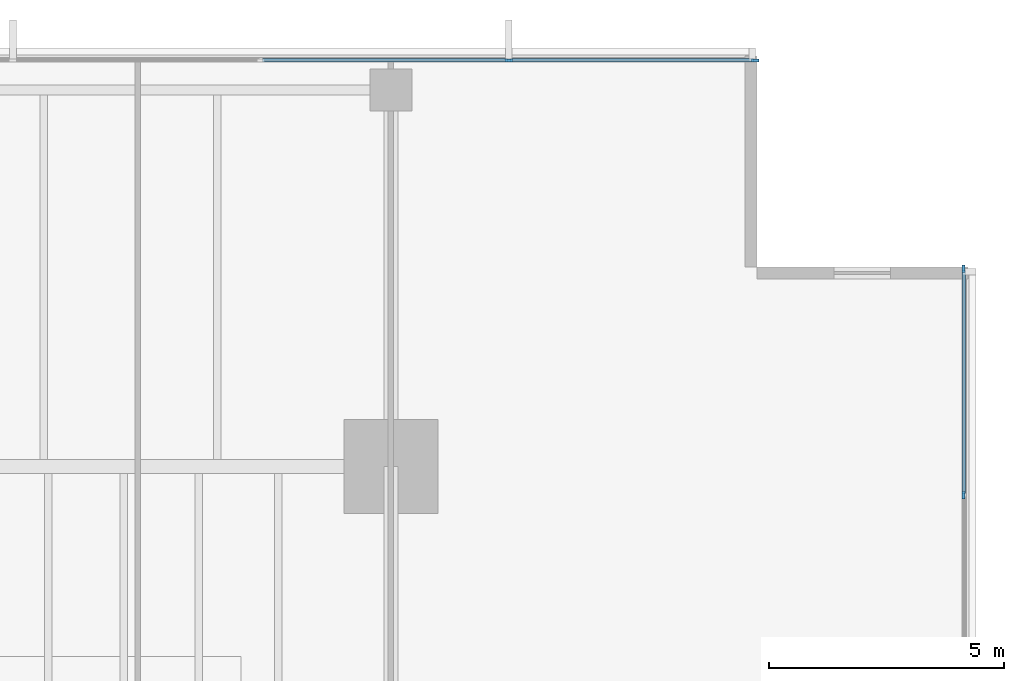
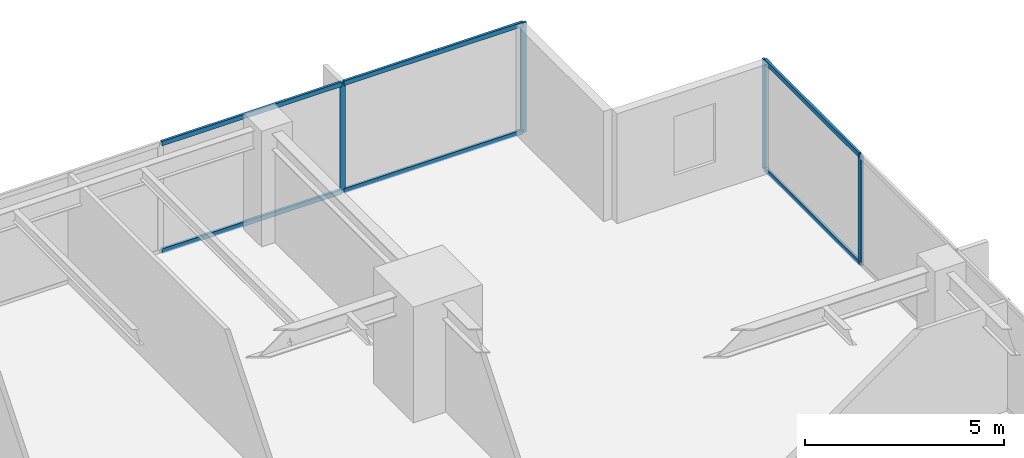
# One storey, part 6 of 14: 10 members, 2 elements without a shape of their own.
"""IFC4 building model written with IfcOpenShell, lengths in metres."""

from ifc_helpers import new_model, si_unit, direction, frame, origin, origin_2d, place, context, subcontext, project, spatial, rectangle, extrude, material, layer, layer_set, material_profile, profile_set, type_object, element, aggregate, save


model = new_model("IFC4")

# Units and contexts
model_context = context("Model", 3, precision=1e-05, world=origin(), true_north=direction((0.0, 1.0)))
body_context = subcontext(model_context, "Body", "Model", "MODEL_VIEW")
ifc_project = project(units=[si_unit("LENGTHUNIT", "METRE"), si_unit("AREAUNIT", "SQUARE_METRE"), si_unit("VOLUMEUNIT", "CUBIC_METRE"), si_unit("PLANEANGLEUNIT", "RADIAN"), si_unit("MASSUNIT", "GRAM", prefix="KILO")], contexts=[model_context])

# Site, building, storey
site_placement = place(None, origin())
site = spatial("IfcSite", under=ifc_project, at=site_placement, CompositionType="ELEMENT")
building_placement = place(site_placement, origin())
building = spatial("IfcBuilding", under=site, at=building_placement, Name="Kinhvarn Gate Tower", CompositionType="ELEMENT")
storey_placement = place(building_placement, frame((0.0, 0.0, 166.14990234375)))
storey = spatial("IfcBuildingStorey", under=building, at=storey_placement, Name="L44", CompositionType="ELEMENT", Elevation=166.14990234375)

# Curtain wall, members
ifc_material = material(Name="Anodised aluminium AW-6063", Category="aluminium")
ifc_layer = layer(ifc_material, 0.179931640625)
ifc_layer_set = layer_set([ifc_layer], Name="Anodised aluminium AW-6063")
curtain_wall_type = type_object("IfcCurtainWallType", Name="CW-SYS-3", PredefinedType="NOTDEFINED", material=ifc_layer_set)
curtain_wall_1_placement = place(storey_placement, origin())
curtain_wall_1 = element("IfcCurtainWall", 1, at=curtain_wall_1_placement, inside=storey, type_object=curtain_wall_type, Name="Curtain Wall CW3 (L44)", PredefinedType="NOTDEFINED")
ifc_material_profile_1 = material_profile(ifc_material, rectangle(XDim=0.06494140625, YDim=0.159912109375, at=origin_2d()), Name="ALU 65x160")
ifc_profile_set_1 = profile_set([ifc_material_profile_1], Name="Anodised aluminium AW-6063")
member_type_1 = type_object("IfcMemberType", Name="CW-MUL-160", PredefinedType="MULLION", material=ifc_profile_set_1)
member_1_placement = place(storey_placement, frame((45.967529296875, 46.409912109375, 0.0), z_axis=(0.0, 0.0, 1.0), x_axis=(0.0, -1.0, 0.0)))
member_1 = element("IfcMember", 2, at=member_1_placement, type_object=member_type_1, Name="CW3 mullion 1", PredefinedType="MULLION", context=body_context, shape_type="SweptSolid", body=[
    extrude(rectangle(XDim=0.06494140625, YDim=0.159912109375, at=origin_2d()), origin(), (0.0, 0.0, 1.0), 3.3701171875),
])
member_2_placement = place(storey_placement, frame((40.71435546875, 46.409912109375, 0.0), z_axis=(0.0, 0.0, 1.0), x_axis=(0.0, -1.0, 0.0)))
member_2 = element("IfcMember", 3, at=member_2_placement, type_object=member_type_1, Name="CW3 mullion 2", PredefinedType="MULLION", context=body_context, shape_type="SweptSolid", body=[
    extrude(rectangle(XDim=0.06494140625, YDim=0.159912109375, at=origin_2d()), origin(), (0.0, 0.0, 1.0), 3.3701171875),
])

curtain_wall_2_placement = place(storey_placement, origin())
curtain_wall_2 = element("IfcCurtainWall", 4, at=curtain_wall_2_placement, inside=storey, type_object=curtain_wall_type, Name="Curtain Wall CW3 (L44)", PredefinedType="NOTDEFINED")
member_3_placement = place(storey_placement, frame((50.409912109375, 37.142822265625, 0.0), z_axis=(0.0, 0.0, 1.0), x_axis=(-1.0, 0.0, 0.0)))
member_3 = element("IfcMember", 5, at=member_3_placement, type_object=member_type_1, Name="CW3 mullion 7", PredefinedType="MULLION", context=body_context, shape_type="SweptSolid", body=[
    extrude(rectangle(XDim=0.06494140625, YDim=0.159912109375, at=origin_2d()), origin(), (0.0, 0.0, 1.0), 3.3701171875),
])
member_4_placement = place(storey_placement, frame((50.409912109375, 41.967529296875, 0.0), z_axis=(0.0, 0.0, 1.0), x_axis=(-1.0, 0.0, 0.0)))
member_4 = element("IfcMember", 6, at=member_4_placement, type_object=member_type_1, Name="CW3 mullion 8", PredefinedType="MULLION", context=body_context, shape_type="SweptSolid", body=[
    extrude(rectangle(XDim=0.06494140625, YDim=0.159912109375, at=origin_2d()), origin(), (0.0, 0.0, 1.0), 3.3701171875),
])

# Member
ifc_material_profile_2 = material_profile(ifc_material, rectangle(XDim=0.070068359375, YDim=0.139892578125, at=origin_2d()), Name="ALU 70x140")
ifc_profile_set_2 = profile_set([ifc_material_profile_2], Name="Anodised aluminium AW-6063")
member_type_2 = type_object("IfcMemberType", Name="CW-TRN-140", PredefinedType="USERDEFINED", material=ifc_profile_set_2)
member_5_placement = place(storey_placement, frame((45.93505859375, 46.409912109375, 0.03515625), z_axis=(-1.0, 0.0, 0.0), x_axis=(0.0, -1.0, 0.0)))
member_5 = element("IfcMember", 7, at=member_5_placement, type_object=member_type_2, Name="CW3 transom 1.1", ObjectType="TRANSOM", PredefinedType="USERDEFINED", context=body_context, shape_type="SweptSolid", body=[
    extrude(rectangle(XDim=0.070068359375, YDim=0.139892578125, at=origin_2d()), origin(), (0.0, 0.0, 1.0), 5.188232421875),
])

member_6_placement = place(storey_placement, frame((45.93505859375, 46.409912109375, 3.335205078125), z_axis=(-1.0, 0.0, 0.0), x_axis=(0.0, -1.0, 0.0)))
member_6 = element("IfcMember", 8, at=member_6_placement, type_object=member_type_2, Name="CW3 transom 1.2", ObjectType="TRANSOM", PredefinedType="USERDEFINED", context=body_context, shape_type="SweptSolid", body=[
    extrude(rectangle(XDim=0.070068359375, YDim=0.139892578125, at=origin_2d()), origin(), (0.0, 0.0, 1.0), 5.188232421875),
])

member_7_placement = place(storey_placement, frame((40.681884765625, 46.409912109375, 0.03515625), z_axis=(-1.0, 0.0, 0.0), x_axis=(0.0, -1.0, 0.0)))
member_7 = element("IfcMember", 9, at=member_7_placement, type_object=member_type_2, Name="CW3 transom 2.1", ObjectType="TRANSOM", PredefinedType="USERDEFINED", context=body_context, shape_type="SweptSolid", body=[
    extrude(rectangle(XDim=0.070068359375, YDim=0.139892578125, at=origin_2d()), origin(), (0.0, 0.0, 1.0), 5.220703125),
])

member_8_placement = place(storey_placement, frame((40.681884765625, 46.409912109375, 3.335205078125), z_axis=(-1.0, 0.0, 0.0), x_axis=(0.0, -1.0, 0.0)))
member_8 = element("IfcMember", 10, at=member_8_placement, type_object=member_type_2, Name="CW3 transom 2.2", ObjectType="TRANSOM", PredefinedType="USERDEFINED", context=body_context, shape_type="SweptSolid", body=[
    extrude(rectangle(XDim=0.070068359375, YDim=0.139892578125, at=origin_2d()), origin(), (0.0, 0.0, 1.0), 5.220703125),
])

aggregate(curtain_wall_1, [member_1, member_2, member_5, member_6, member_7, member_8])

member_9_placement = place(storey_placement, frame((50.409912109375, 37.17529296875, 0.03515625), z_axis=(0.0, 1.0, 0.0), x_axis=(-1.0, 0.0, 0.0)))
member_9 = element("IfcMember", 11, at=member_9_placement, type_object=member_type_2, Name="CW3 transom 7.1", ObjectType="TRANSOM", PredefinedType="USERDEFINED", context=body_context, shape_type="SweptSolid", body=[
    extrude(rectangle(XDim=0.070068359375, YDim=0.139892578125, at=origin_2d()), origin(), (0.0, 0.0, 1.0), 4.759765625),
])

member_10_placement = place(storey_placement, frame((50.409912109375, 37.17529296875, 3.335205078125), z_axis=(0.0, 1.0, 0.0), x_axis=(-1.0, 0.0, 0.0)))
member_10 = element("IfcMember", 12, at=member_10_placement, type_object=member_type_2, Name="CW3 transom 7.2", ObjectType="TRANSOM", PredefinedType="USERDEFINED", context=body_context, shape_type="SweptSolid", body=[
    extrude(rectangle(XDim=0.070068359375, YDim=0.139892578125, at=origin_2d()), origin(), (0.0, 0.0, 1.0), 4.759765625),
])

aggregate(curtain_wall_2, [member_3, member_4, member_9, member_10])

save(model, "model.ifc")
